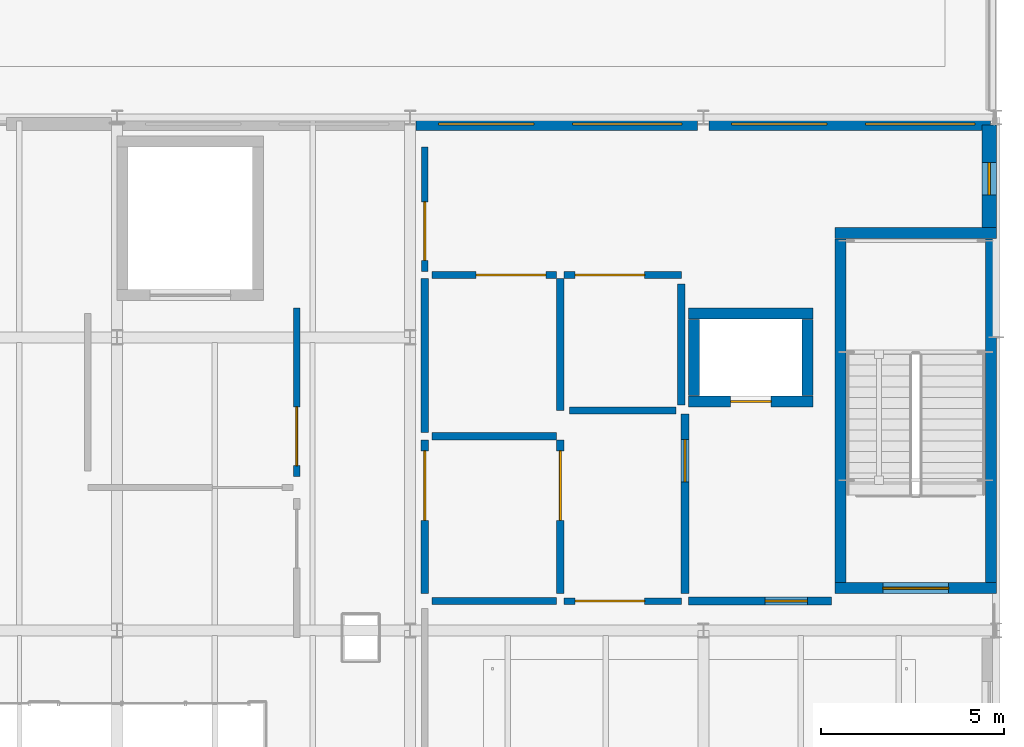
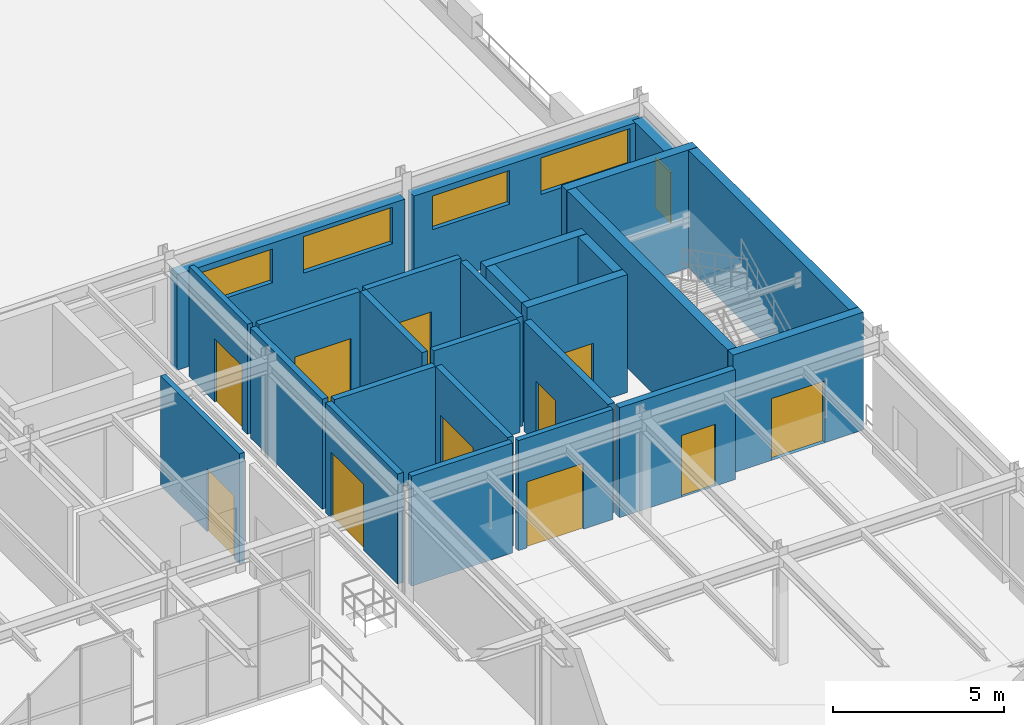
# One storey, part 43 of 67: 26 walls, 11 doors, 5 windows, 16 openings.
"""IFC4 building model written with IfcOpenShell, lengths in metres."""

from ifc_helpers import new_model, si_unit, direction, frame, frame_2d, origin, place, context, subcontext, project, spatial, rectangle, extrude, material, layer, layer_set, type_object, element, fill, save


model = new_model("IFC4")

# Units and contexts
model_context = context("Model", 3, precision=1e-05, world=origin(), true_north=direction((0.0, 1.0)))
body_context = subcontext(model_context, "Body", "Model", "MODEL_VIEW")
ifc_project = project(units=[si_unit("LENGTHUNIT", "METRE"), si_unit("AREAUNIT", "SQUARE_METRE"), si_unit("VOLUMEUNIT", "CUBIC_METRE"), si_unit("PLANEANGLEUNIT", "RADIAN"), si_unit("MASSUNIT", "GRAM", prefix="KILO")], contexts=[model_context])

# Site, building, storey
site_placement = place(None, origin())
site = spatial("IfcSite", under=ifc_project, at=site_placement, CompositionType="ELEMENT")
building_placement = place(site_placement, origin())
building = spatial("IfcBuilding", under=site, at=building_placement, Name="Sundkrona Museum", CompositionType="ELEMENT")
storey_placement = place(building_placement, frame((0.0, 0.0, 21.800048828125)))
storey = spatial("IfcBuildingStorey", under=building, at=storey_placement, Name="L04", CompositionType="ELEMENT", Elevation=21.800048828125)

# Wall, opening, door
ifc_material_1 = material(Name="Concrete C40/50", Category="concrete")
ifc_layer_1 = layer(ifc_material_1, 0.300048828125)
ifc_layer_set_1 = layer_set([ifc_layer_1], Name="Concrete C40/50")
wall_type_1 = type_object("IfcWallType", Name="W-CORE-300", PredefinedType="SHEAR", material=ifc_layer_set_1)
wall_1_placement = place(storey_placement, frame((163.60009765625, 33.14990234375, 0.0), z_axis=(0.0, 0.0, 1.0), x_axis=(1.0, 0.0, 0.0)))
wall_1 = element("IfcWall", 1, at=wall_1_placement, inside=storey, type_object=wall_type_1, Name="L04 ST-1 Core Shear Wall South", PredefinedType="SHEAR", context=body_context, shape_type="SweptSolid", body=[
    extrude(rectangle(XDim=4.39990234375, YDim=0.300048828125, at=frame_2d((2.199951171875, 0.0))), origin(), (0.0, 0.0, 1.0), 4.199951171875),
])
opening_1_placement = place(wall_1_placement, frame((1.300048828125, 0.0, 0.0)))
opening_1 = element("IfcOpeningElement", 2, at=opening_1_placement, cuts=wall_1, Name="Opening D-FD60", PredefinedType="OPENING", context=body_context, shape_type="SweptSolid", body=[
    extrude(rectangle(XDim=1.800048828125, YDim=2.199951171875, at=frame_2d((0.89990234375, 1.10009765625))), frame((0.0, 0.159912109375, 0.0), z_axis=(0.0, -1.0, 0.0), x_axis=(1.0, 0.0, 0.0)), (0.0, 0.0, 1.0), 0.320068359375),
])
ifc_material_2 = material(Name="Steel S355J2 Fire Door Leaf", Category="steel")
door_type_1 = type_object("IfcDoorType", Name="D-FD60", OperationType="DOUBLE_DOOR_SINGLE_SWING", PredefinedType="DOOR", material=ifc_material_2)
door_1_placement = place(opening_1_placement, origin())
door_1 = element("IfcDoor", 3, at=door_1_placement, inside=storey, type_object=door_type_1, Name="L04 ST-1 Protected Escape Stair Door DR-ST-1-L04", OperationType="DOUBLE_DOOR_SINGLE_SWING", OverallHeight=2.199951171875, OverallWidth=1.800048828125, PredefinedType="DOOR", context=body_context, shape_type="SweptSolid", body=[
    extrude(rectangle(XDim=1.800048828125, YDim=2.199951171875, at=frame_2d((0.89990234375, 1.10009765625))), frame((0.0, 0.02490234375, 0.0), z_axis=(0.0, -1.0, 0.0), x_axis=(1.0, 0.0, 0.0)), (0.0, 0.0, 1.0), 0.050048828125),
])
fill(opening_1, door_1)

# Walls
wall_2_placement = place(storey_placement, frame((163.60009765625, 42.85009765625, 0.0), z_axis=(0.0, 0.0, 1.0), x_axis=(1.0, 0.0, 0.0)))
element("IfcWall", 4, at=wall_2_placement, inside=storey, type_object=wall_type_1, Name="L04 ST-1 Core Shear Wall North", PredefinedType="SHEAR", context=body_context, shape_type="SweptSolid", body=[
    extrude(rectangle(XDim=4.39990234375, YDim=0.300048828125, at=frame_2d((2.199951171875, 0.0))), origin(), (0.0, 0.0, 1.0), 4.199951171875),
])
for number, where, z_axis, x_axis, name in (
    (5, (163.75, 33.31005859375, 0.0), (0.0, 0.0, 1.0), (0.0, 1.0, 0.0), "L04 ST-1 Core Shear Wall West"),
    (6, (167.85009765625, 33.31005859375, 0.0), (0.0, 0.0, 1.0), (0.0, 1.0, 0.0), "L04 ST-1 Core Shear Wall East"),
):
    element("IfcWall", number, at=place(storey_placement, frame(where, z_axis=z_axis, x_axis=x_axis)), inside=storey, type_object=wall_type_1, Name=name, PredefinedType="SHEAR", context=body_context, shape_type="SweptSolid", body=[
        extrude(rectangle(XDim=9.3798828125, YDim=0.300048828125, at=frame_2d((4.68994140625, 0.0))), origin(), (0.0, 0.0, 1.0), 4.199951171875),
    ])

# Wall, opening, door
wall_3_placement = place(storey_placement, frame((159.60009765625, 38.25, 0.0), z_axis=(0.0, 0.0, 1.0), x_axis=(1.0, 0.0, 0.0)))
wall_3 = element("IfcWall", 7, at=wall_3_placement, inside=storey, type_object=wall_type_1, Name="L04 PL-1 Lift Shaft Wall South", PredefinedType="SHEAR", context=body_context, shape_type="SweptSolid", body=[
    extrude(rectangle(XDim=3.39990234375, YDim=0.300048828125, at=frame_2d((1.699951171875, 0.0))), origin(), (0.0, 0.0, 1.0), 4.199951171875),
])
opening_2_placement = place(wall_3_placement, frame((1.14990234375, 0.0, 0.0)))
opening_2 = element("IfcOpeningElement", 8, at=opening_2_placement, cuts=wall_3, Name="Opening LD-01", PredefinedType="OPENING", context=body_context, shape_type="SweptSolid", body=[
    extrude(rectangle(XDim=1.10009765625, YDim=2.14990234375, at=frame_2d((0.550048828125, 1.074951171875))), frame((0.0, 0.159912109375, 0.0), z_axis=(0.0, -1.0, 0.0), x_axis=(1.0, 0.0, 0.0)), (0.0, 0.0, 1.0), 0.320068359375),
])
ifc_material_3 = material(Name="Brushed Stainless Steel Lift Door", Category="steel")
door_type_2 = type_object("IfcDoorType", Name="LD-01", OperationType="SLIDING_TO_LEFT", PredefinedType="DOOR", material=ifc_material_3)
door_2_placement = place(opening_2_placement, origin())
door_2 = element("IfcDoor", 9, at=door_2_placement, inside=storey, type_object=door_type_2, Name="L04 Firefighters Passenger Lift PL-1 Landing Door DR-LIFT-PL-1-L04", OperationType="SLIDING_TO_LEFT", OverallHeight=2.14990234375, OverallWidth=1.10009765625, PredefinedType="DOOR", context=body_context, shape_type="SweptSolid", body=[
    extrude(rectangle(XDim=1.10009765625, YDim=2.14990234375, at=frame_2d((0.550048828125, 1.074951171875))), frame((0.0, 0.02490234375, 0.0), z_axis=(0.0, -1.0, 0.0), x_axis=(1.0, 0.0, 0.0)), (0.0, 0.0, 1.0), 0.050048828125),
])
fill(opening_2, door_2)

# Walls
wall_4_placement = place(storey_placement, frame((159.60009765625, 40.64990234375, 0.0), z_axis=(0.0, 0.0, 1.0), x_axis=(1.0, 0.0, 0.0)))
element("IfcWall", 10, at=wall_4_placement, inside=storey, type_object=wall_type_1, Name="L04 PL-1 Lift Shaft Wall North", PredefinedType="SHEAR", context=body_context, shape_type="SweptSolid", body=[
    extrude(rectangle(XDim=3.39990234375, YDim=0.300048828125, at=frame_2d((1.699951171875, 0.0))), origin(), (0.0, 0.0, 1.0), 4.199951171875),
])
for number, where, z_axis, x_axis, name in (
    (11, (159.75, 38.409912109375, 0.0), (0.0, 0.0, 1.0), (0.0, 1.0, 0.0), "L04 PL-1 Lift Shaft Wall West"),
    (12, (162.85009765625, 38.409912109375, 0.0), (0.0, 0.0, 1.0), (0.0, 1.0, 0.0), "L04 PL-1 Lift Shaft Wall East"),
):
    element("IfcWall", number, at=place(storey_placement, frame(where, z_axis=z_axis, x_axis=x_axis)), inside=storey, type_object=wall_type_1, Name=name, PredefinedType="SHEAR", context=body_context, shape_type="SweptSolid", body=[
        extrude(rectangle(XDim=2.080078125, YDim=0.300048828125, at=frame_2d((1.0400390625, 0.0))), origin(), (0.0, 0.0, 1.0), 4.199951171875),
    ])

# Wall, opening, window
ifc_material_4 = material(Name="Scanian Polychrome Clay Brickwork 390 mm", Category="masonry")
ifc_layer_2 = layer(ifc_material_4, 0.389892578125)
ifc_layer_set_2 = layer_set([ifc_layer_2], Name="Scanian Polychrome Clay Brickwork 390 mm")
wall_type_2 = type_object("IfcWallType", Name="W-EX-390", PredefinedType="SOLIDWALL", material=ifc_layer_set_2)
wall_5_placement = place(storey_placement, frame((167.804931640625, 45.798095703125, 0.0), z_axis=(0.0, 0.0, 1.0), x_axis=(0.0, -1.0, 0.0)))
wall_5 = element("IfcWall", 13, at=wall_5_placement, inside=storey, type_object=wall_type_2, Name="L04 Facade Wall 0060", PredefinedType="SOLIDWALL", context=body_context, shape_type="SweptSolid", body=[
    extrude(rectangle(XDim=2.93798828125, YDim=0.389892578125, at=frame_2d((1.468994140625, 0.0))), origin(), (0.0, 0.0, 1.0), 3.4150390625),
])
opening_3_placement = place(wall_5_placement, frame((1.01904296875, 0.0, 0.85009765625)))
opening_3 = element("IfcOpeningElement", 14, at=opening_3_placement, cuts=wall_5, Name="Opening WN-ST-090x180", PredefinedType="OPENING", context=body_context, shape_type="SweptSolid", body=[
    extrude(rectangle(XDim=0.89990234375, YDim=1.800048828125, at=frame_2d((0.449951171875, 0.89990234375))), frame((0.0, 0.204833984375, 0.0), z_axis=(0.0, -1.0, 0.0), x_axis=(1.0, 0.0, 0.0)), (0.0, 0.0, 1.0), 0.409912109375),
])
ifc_material_5 = material(Name="Triple Low-E Argon Glazing in Bronze-Anodised Aluminium", Category="aluminium")
window_type_1 = type_object("IfcWindowType", Name="WN-ST-090x180", PartitioningType="SINGLE_PANEL", PredefinedType="WINDOW", material=ifc_material_5)
window_1_placement = place(opening_3_placement, origin())
window_1 = element("IfcWindow", 15, at=window_1_placement, inside=storey, type_object=window_type_1, Name="L04 Stair-core avenue daylight slot window 900x1800 WIN-L04-0079", OverallHeight=1.800048828125, OverallWidth=0.89990234375, PartitioningType="SINGLE_PANEL", PredefinedType="WINDOW", context=body_context, shape_type="SweptSolid", body=[
    extrude(rectangle(XDim=0.89990234375, YDim=1.800048828125, at=frame_2d((0.449951171875, 0.89990234375))), frame((0.0, 0.030029296875, 0.0), z_axis=(0.0, -1.0, 0.0), x_axis=(1.0, 0.0, 0.0)), (0.0, 0.0, 1.0), 0.06005859375),
])
fill(opening_3, window_1)

# Wall, opening, door
ifc_material_6 = material(Name="Autoclaved Aerated Masonry 225 mm", Category="masonry")
ifc_layer_3 = layer(ifc_material_6, 0.22509765625)
ifc_layer_set_3 = layer_set([ifc_layer_3], Name="Autoclaved Aerated Masonry 225 mm")
wall_type_3 = type_object("IfcWallType", Name="W-FF-225", PredefinedType="SOLIDWALL", material=ifc_layer_set_3)
wall_6_placement = place(storey_placement, frame((159.5, 33.0, 0.0), z_axis=(0.0, 0.0, 1.0), x_axis=(0.0, 1.0, 0.0)))
wall_6 = element("IfcWall", 16, at=wall_6_placement, inside=storey, type_object=wall_type_3, Name="L04 Partition Firefighting Lobby / Core 1 Level 04 Link", PredefinedType="SOLIDWALL", context=body_context, shape_type="SweptSolid", body=[
    extrude(rectangle(XDim=4.89990234375, YDim=0.22509765625, at=frame_2d((2.449951171875, 0.0))), origin(), (0.0, 0.0, 1.0), 3.919921875),
])
opening_4_placement = place(wall_6_placement, frame((3.05615234375, 0.0, 0.0)))
opening_4 = element("IfcOpeningElement", 17, at=opening_4_placement, cuts=wall_6, Name="Opening D-FF60", PredefinedType="OPENING", context=body_context, shape_type="SweptSolid", body=[
    extrude(rectangle(XDim=1.14990234375, YDim=2.199951171875, at=frame_2d((0.574951171875, 1.10009765625))), frame((0.0, 0.12255859375, 0.0), z_axis=(0.0, -1.0, 0.0), x_axis=(1.0, 0.0, 0.0)), (0.0, 0.0, 1.0), 0.2451171875),
])
door_type_3 = type_object("IfcDoorType", Name="D-FF60", OperationType="NOTDEFINED", PredefinedType="DOOR", material=ifc_material_2)
door_3_placement = place(opening_4_placement, origin())
door_3 = element("IfcDoor", 18, at=door_3_placement, inside=storey, type_object=door_type_3, Name="L04 Interior Door DR-ADJ-L04-0180", OperationType="SINGLE_SWING_RIGHT", OverallHeight=2.199951171875, OverallWidth=1.14990234375, PredefinedType="DOOR", context=body_context, shape_type="SweptSolid", body=[
    extrude(rectangle(XDim=1.14990234375, YDim=2.199951171875, at=frame_2d((0.574951171875, 1.10009765625))), frame((0.0, 0.02490234375, 0.0), z_axis=(0.0, -1.0, 0.0), x_axis=(1.0, 0.0, 0.0)), (0.0, 0.0, 1.0), 0.050048828125),
])
fill(opening_4, door_3)

wall_7_placement = place(storey_placement, frame((159.60009765625, 32.800048828125, 0.0), z_axis=(0.0, 0.0, 1.0), x_axis=(1.0, 0.0, 0.0)))
wall_7 = element("IfcWall", 19, at=wall_7_placement, inside=storey, type_object=wall_type_3, Name="L04 Partition Firefighting Lobby / Contemporary Visual Arts Gallery", PredefinedType="SOLIDWALL", context=body_context, shape_type="SweptSolid", body=[
    extrude(rectangle(XDim=3.89990234375, YDim=0.22509765625, at=frame_2d((1.949951171875, 0.0))), origin(), (0.0, 0.0, 1.0), 3.919921875),
])
opening_5_placement = place(wall_7_placement, frame((2.091796875, 0.0, 0.0)))
opening_5 = element("IfcOpeningElement", 20, at=opening_5_placement, cuts=wall_7, Name="Opening D-FF60", PredefinedType="OPENING", context=body_context, shape_type="SweptSolid", body=[
    extrude(rectangle(XDim=1.14990234375, YDim=2.199951171875, at=frame_2d((0.574951171875, 1.10009765625))), frame((0.0, 0.12255859375, 0.0), z_axis=(0.0, -1.0, 0.0), x_axis=(1.0, 0.0, 0.0)), (0.0, 0.0, 1.0), 0.2451171875),
])
door_4_placement = place(opening_5_placement, origin())
door_4 = element("IfcDoor", 21, at=door_4_placement, inside=storey, type_object=door_type_3, Name="L04 Interior Door DR-ADJ-L04-0181", OperationType="SINGLE_SWING_LEFT", OverallHeight=2.199951171875, OverallWidth=1.14990234375, PredefinedType="DOOR", context=body_context, shape_type="SweptSolid", body=[
    extrude(rectangle(XDim=1.14990234375, YDim=2.199951171875, at=frame_2d((0.574951171875, 1.10009765625))), frame((0.0, 0.02490234375, 0.0), z_axis=(0.0, -1.0, 0.0), x_axis=(1.0, 0.0, 0.0)), (0.0, 0.0, 1.0), 0.050048828125),
])
fill(opening_5, door_4)

ifc_material_7 = material(Name="Fire-rated Gypsum Partition Board 175 mm", Category="other")
ifc_layer_4 = layer(ifc_material_7, 0.175048828125)
ifc_layer_set_4 = layer_set([ifc_layer_4], Name="Fire-rated Gypsum Partition Board 175 mm")
wall_type_4 = type_object("IfcWallType", Name="W-PT-175", PredefinedType="PARTITIONING", material=ifc_layer_set_4)
wall_8_placement = place(storey_placement, frame((148.89990234375, 36.199951171875, 0.0), z_axis=(0.0, 0.0, 1.0), x_axis=(0.0, 1.0, 0.0)))
wall_8 = element("IfcWall", 22, at=wall_8_placement, inside=storey, type_object=wall_type_4, Name="L04 Partition Goods Lift Lobby / Main Hall Level 04 Corridor", PredefinedType="PARTITIONING", context=body_context, shape_type="SweptSolid", body=[
    extrude(rectangle(XDim=4.60009765625, YDim=0.175048828125, at=frame_2d((2.300048828125, 0.0))), origin(), (0.0, 0.0, 1.0), 3.919921875),
])
opening_6_placement = place(wall_8_placement, frame((0.300048828125, 0.0, 0.0)))
opening_6 = element("IfcOpeningElement", 23, at=opening_6_placement, cuts=wall_8, Name="Opening D-CMP-160", PredefinedType="OPENING", context=body_context, shape_type="SweptSolid", body=[
    extrude(rectangle(XDim=1.60009765625, YDim=2.25, at=frame_2d((0.800048828125, 1.125))), frame((0.0, 0.097412109375, 0.0), z_axis=(0.0, -1.0, 0.0), x_axis=(1.0, 0.0, 0.0)), (0.0, 0.0, 1.0), 0.195068359375),
])
ifc_material_8 = material(Name="Glazed Steel Fire Screen Door", Category="steel")
door_type_4 = type_object("IfcDoorType", Name="D-CMP-160", OperationType="DOUBLE_DOOR_SINGLE_SWING", PredefinedType="DOOR", material=ifc_material_8)
door_5_placement = place(opening_6_placement, origin())
door_5 = element("IfcDoor", 24, at=door_5_placement, inside=storey, type_object=door_type_4, Name="L04 Interior Door DR-ADJ-L04-0183", OperationType="DOUBLE_DOOR_SINGLE_SWING", OverallHeight=2.25, OverallWidth=1.60009765625, PredefinedType="DOOR", context=body_context, shape_type="SweptSolid", body=[
    extrude(rectangle(XDim=1.60009765625, YDim=2.25, at=frame_2d((0.800048828125, 1.125))), frame((0.0, 0.02490234375, 0.0), z_axis=(0.0, -1.0, 0.0), x_axis=(1.0, 0.0, 0.0)), (0.0, 0.0, 1.0), 0.050048828125),
])
fill(opening_6, door_5)

wall_9_placement = place(storey_placement, frame((152.39990234375, 41.800048828125, 0.0), z_axis=(0.0, 0.0, 1.0), x_axis=(0.0, 1.0, 0.0)))
wall_9 = element("IfcWall", 25, at=wall_9_placement, inside=storey, type_object=wall_type_4, Name="L04 Partition Sanitary WC Lobby / Main Hall Level 04 Corridor", PredefinedType="PARTITIONING", context=body_context, shape_type="SweptSolid", body=[
    extrude(rectangle(XDim=3.39990234375, YDim=0.175048828125, at=frame_2d((1.699951171875, 0.0))), origin(), (0.0, 0.0, 1.0), 3.919921875),
])
opening_7_placement = place(wall_9_placement, frame((0.300048828125, 0.0, 0.0)))
opening_7 = element("IfcOpeningElement", 26, at=opening_7_placement, cuts=wall_9, Name="Opening D-CMP-160", PredefinedType="OPENING", context=body_context, shape_type="SweptSolid", body=[
    extrude(rectangle(XDim=1.60009765625, YDim=2.25, at=frame_2d((0.800048828125, 1.125))), frame((0.0, 0.097412109375, 0.0), z_axis=(0.0, -1.0, 0.0), x_axis=(1.0, 0.0, 0.0)), (0.0, 0.0, 1.0), 0.195068359375),
])
door_6_placement = place(opening_7_placement, origin())
door_6 = element("IfcDoor", 27, at=door_6_placement, inside=storey, type_object=door_type_4, Name="L04 Interior Door DR-ADJ-L04-0186", OperationType="DOUBLE_DOOR_SINGLE_SWING", OverallHeight=2.25, OverallWidth=1.60009765625, PredefinedType="DOOR", context=body_context, shape_type="SweptSolid", body=[
    extrude(rectangle(XDim=1.60009765625, YDim=2.25, at=frame_2d((0.800048828125, 1.125))), frame((0.0, 0.02490234375, 0.0), z_axis=(0.0, -1.0, 0.0), x_axis=(1.0, 0.0, 0.0)), (0.0, 0.0, 1.0), 0.050048828125),
])
fill(opening_7, door_6)

wall_10_placement = place(storey_placement, frame((156.199951171875, 32.800048828125, 0.0), z_axis=(0.0, 0.0, 1.0), x_axis=(1.0, 0.0, 0.0)))
wall_10 = element("IfcWall", 28, at=wall_10_placement, inside=storey, type_object=wall_type_4, Name="L04 Partition Core 1 Level 04 Link / Contemporary Visual Arts Gallery", PredefinedType="PARTITIONING", context=body_context, shape_type="SweptSolid", body=[
    extrude(rectangle(XDim=3.199951171875, YDim=0.175048828125, at=frame_2d((1.60009765625, 0.0))), origin(), (0.0, 0.0, 1.0), 3.919921875),
])
opening_8_placement = place(wall_10_placement, frame((0.300048828125, 0.0, 0.0)))
opening_8 = element("IfcOpeningElement", 29, at=opening_8_placement, cuts=wall_10, Name="Opening D-AUD-190", PredefinedType="OPENING", context=body_context, shape_type="SweptSolid", body=[
    extrude(rectangle(XDim=1.89990234375, YDim=2.35009765625, at=frame_2d((0.949951171875, 1.175048828125))), frame((0.0, 0.097412109375, 0.0), z_axis=(0.0, -1.0, 0.0), x_axis=(1.0, 0.0, 0.0)), (0.0, 0.0, 1.0), 0.195068359375),
])
ifc_material_9 = material(Name="Acoustic Oak Fire Door", Category="other")
door_type_5 = type_object("IfcDoorType", Name="D-AUD-190", OperationType="DOUBLE_DOOR_SINGLE_SWING", PredefinedType="DOOR", material=ifc_material_9)
door_7_placement = place(opening_8_placement, origin())
door_7 = element("IfcDoor", 30, at=door_7_placement, inside=storey, type_object=door_type_5, Name="L04 Interior Door DR-ADJ-L04-0197", OperationType="DOUBLE_DOOR_SINGLE_SWING", OverallHeight=2.35009765625, OverallWidth=1.89990234375, PredefinedType="DOOR", context=body_context, shape_type="SweptSolid", body=[
    extrude(rectangle(XDim=1.89990234375, YDim=2.35009765625, at=frame_2d((0.949951171875, 1.175048828125))), frame((0.0, 0.02490234375, 0.0), z_axis=(0.0, -1.0, 0.0), x_axis=(1.0, 0.0, 0.0)), (0.0, 0.0, 1.0), 0.050048828125),
])
fill(opening_8, door_7)

ifc_material_10 = material(Name="Moisture-resistant Tile Partition 200 mm", Category="other")
ifc_layer_5 = layer(ifc_material_10, 0.199951171875)
ifc_layer_set_5 = layer_set([ifc_layer_5], Name="Moisture-resistant Tile Partition 200 mm")
wall_type_5 = type_object("IfcWallType", Name="W-PT-200", PredefinedType="PARTITIONING", material=ifc_layer_set_5)
wall_11_placement = place(storey_placement, frame((152.60009765625, 41.699951171875, 0.0), z_axis=(0.0, 0.0, 1.0), x_axis=(1.0, 0.0, 0.0)))
wall_11 = element("IfcWall", 31, at=wall_11_placement, inside=storey, type_object=wall_type_5, Name="L04 Partition Sanitary WC Lobby / Female Toilet", PredefinedType="PARTITIONING", context=body_context, shape_type="SweptSolid", body=[
    extrude(rectangle(XDim=3.39990234375, YDim=0.199951171875, at=frame_2d((1.699951171875, 0.0))), origin(), (0.0, 0.0, 1.0), 3.919921875),
])
opening_9_placement = place(wall_11_placement, frame((1.199951171875, 0.0, 0.0)))
opening_9 = element("IfcOpeningElement", 32, at=opening_9_placement, cuts=wall_11, Name="Opening D-AUD-190", PredefinedType="OPENING", context=body_context, shape_type="SweptSolid", body=[
    extrude(rectangle(XDim=1.89990234375, YDim=2.35009765625, at=frame_2d((0.949951171875, 1.175048828125))), frame((0.0, 0.10986328125, 0.0), z_axis=(0.0, -1.0, 0.0), x_axis=(1.0, 0.0, 0.0)), (0.0, 0.0, 1.0), 0.219970703125),
])
door_8_placement = place(opening_9_placement, origin())
door_8 = element("IfcDoor", 33, at=door_8_placement, inside=storey, type_object=door_type_5, Name="L04 Interior Door DR-ADJ-L04-0184", OperationType="DOUBLE_DOOR_SINGLE_SWING", OverallHeight=2.35009765625, OverallWidth=1.89990234375, PredefinedType="DOOR", context=body_context, shape_type="SweptSolid", body=[
    extrude(rectangle(XDim=1.89990234375, YDim=2.35009765625, at=frame_2d((0.949951171875, 1.175048828125))), frame((0.0, 0.02490234375, 0.0), z_axis=(0.0, -1.0, 0.0), x_axis=(1.0, 0.0, 0.0)), (0.0, 0.0, 1.0), 0.050048828125),
])
fill(opening_9, door_8)

wall_12_placement = place(storey_placement, frame((156.199951171875, 41.699951171875, 0.0), z_axis=(0.0, 0.0, 1.0), x_axis=(1.0, 0.0, 0.0)))
wall_12 = element("IfcWall", 34, at=wall_12_placement, inside=storey, type_object=wall_type_5, Name="L04 Partition Sanitary WC Lobby / Accessible WC", PredefinedType="PARTITIONING", context=body_context, shape_type="SweptSolid", body=[
    extrude(rectangle(XDim=3.199951171875, YDim=0.199951171875, at=frame_2d((1.60009765625, 0.0))), origin(), (0.0, 0.0, 1.0), 3.919921875),
])
opening_10_placement = place(wall_12_placement, frame((0.300048828125, 0.0, 0.0)))
opening_10 = element("IfcOpeningElement", 35, at=opening_10_placement, cuts=wall_12, Name="Opening D-AUD-190", PredefinedType="OPENING", context=body_context, shape_type="SweptSolid", body=[
    extrude(rectangle(XDim=1.89990234375, YDim=2.35009765625, at=frame_2d((0.949951171875, 1.175048828125))), frame((0.0, 0.10986328125, 0.0), z_axis=(0.0, -1.0, 0.0), x_axis=(1.0, 0.0, 0.0)), (0.0, 0.0, 1.0), 0.219970703125),
])
door_9_placement = place(opening_10_placement, origin())
door_9 = element("IfcDoor", 36, at=door_9_placement, inside=storey, type_object=door_type_5, Name="L04 Interior Door DR-ADJ-L04-0185", OperationType="DOUBLE_DOOR_SINGLE_SWING", OverallHeight=2.35009765625, OverallWidth=1.89990234375, PredefinedType="DOOR", context=body_context, shape_type="SweptSolid", body=[
    extrude(rectangle(XDim=1.89990234375, YDim=2.35009765625, at=frame_2d((0.949951171875, 1.175048828125))), frame((0.0, 0.02490234375, 0.0), z_axis=(0.0, -1.0, 0.0), x_axis=(1.0, 0.0, 0.0)), (0.0, 0.0, 1.0), 0.050048828125),
])
fill(opening_10, door_9)

# Wall
wall_13_placement = place(storey_placement, frame((152.60009765625, 37.300048828125, 0.0), z_axis=(0.0, 0.0, 1.0), x_axis=(1.0, 0.0, 0.0)))
element("IfcWall", 37, at=wall_13_placement, inside=storey, type_object=wall_type_5, Name="L04 Partition Male Toilet / Female Toilet", PredefinedType="PARTITIONING", context=body_context, shape_type="SweptSolid", body=[
    extrude(rectangle(XDim=3.39990234375, YDim=0.199951171875, at=frame_2d((1.699951171875, 0.0))), origin(), (0.0, 0.0, 1.0), 3.919921875),
])

# Wall, opening, door
wall_14_placement = place(storey_placement, frame((152.39990234375, 33.0, 0.0), z_axis=(0.0, 0.0, 1.0), x_axis=(0.0, 1.0, 0.0)))
wall_14 = element("IfcWall", 38, at=wall_14_placement, inside=storey, type_object=wall_type_5, Name="L04 Partition Male Toilet / Main Hall Level 04 Corridor", PredefinedType="PARTITIONING", context=body_context, shape_type="SweptSolid", body=[
    extrude(rectangle(XDim=4.199951171875, YDim=0.199951171875, at=frame_2d((2.10009765625, 0.0))), origin(), (0.0, 0.0, 1.0), 3.919921875),
])
opening_11_placement = place(wall_14_placement, frame((2.0, 0.0, 0.0)))
opening_11 = element("IfcOpeningElement", 39, at=opening_11_placement, cuts=wall_14, Name="Opening D-AUD-190", PredefinedType="OPENING", context=body_context, shape_type="SweptSolid", body=[
    extrude(rectangle(XDim=1.89990234375, YDim=2.35009765625, at=frame_2d((0.949951171875, 1.175048828125))), frame((0.0, 0.10986328125, 0.0), z_axis=(0.0, -1.0, 0.0), x_axis=(1.0, 0.0, 0.0)), (0.0, 0.0, 1.0), 0.219970703125),
])
door_10_placement = place(opening_11_placement, origin())
door_10 = element("IfcDoor", 40, at=door_10_placement, inside=storey, type_object=door_type_5, Name="L04 Interior Door DR-ADJ-L04-0187", OperationType="DOUBLE_DOOR_SINGLE_SWING", OverallHeight=2.35009765625, OverallWidth=1.89990234375, PredefinedType="DOOR", context=body_context, shape_type="SweptSolid", body=[
    extrude(rectangle(XDim=1.89990234375, YDim=2.35009765625, at=frame_2d((0.949951171875, 1.175048828125))), frame((0.0, 0.02490234375, 0.0), z_axis=(0.0, -1.0, 0.0), x_axis=(1.0, 0.0, 0.0)), (0.0, 0.0, 1.0), 0.050048828125),
])
fill(opening_11, door_10)

wall_15_placement = place(storey_placement, frame((156.10009765625, 33.0, 0.0), z_axis=(0.0, 0.0, 1.0), x_axis=(0.0, 1.0, 0.0)))
wall_15 = element("IfcWall", 41, at=wall_15_placement, inside=storey, type_object=wall_type_5, Name="L04 Partition Male Toilet / Core 1 Level 04 Link", PredefinedType="PARTITIONING", context=body_context, shape_type="SweptSolid", body=[
    extrude(rectangle(XDim=4.199951171875, YDim=0.199951171875, at=frame_2d((2.10009765625, 0.0))), origin(), (0.0, 0.0, 1.0), 3.919921875),
])
opening_12_placement = place(wall_15_placement, frame((2.0, 0.0, 0.0)))
opening_12 = element("IfcOpeningElement", 42, at=opening_12_placement, cuts=wall_15, Name="Opening D-AUD-190", PredefinedType="OPENING", context=body_context, shape_type="SweptSolid", body=[
    extrude(rectangle(XDim=1.89990234375, YDim=2.35009765625, at=frame_2d((0.949951171875, 1.175048828125))), frame((0.0, 0.10986328125, 0.0), z_axis=(0.0, -1.0, 0.0), x_axis=(1.0, 0.0, 0.0)), (0.0, 0.0, 1.0), 0.219970703125),
])
door_11_placement = place(opening_12_placement, origin())
door_11 = element("IfcDoor", 43, at=door_11_placement, inside=storey, type_object=door_type_5, Name="L04 Interior Door DR-ADJ-L04-0188", OperationType="DOUBLE_DOOR_SINGLE_SWING", OverallHeight=2.35009765625, OverallWidth=1.89990234375, PredefinedType="DOOR", context=body_context, shape_type="SweptSolid", body=[
    extrude(rectangle(XDim=1.89990234375, YDim=2.35009765625, at=frame_2d((0.949951171875, 1.175048828125))), frame((0.0, 0.02490234375, 0.0), z_axis=(0.0, -1.0, 0.0), x_axis=(1.0, 0.0, 0.0)), (0.0, 0.0, 1.0), 0.050048828125),
])
fill(opening_12, door_11)

# Walls
wall_16_placement = place(storey_placement, frame((152.60009765625, 32.800048828125, 0.0), z_axis=(0.0, 0.0, 1.0), x_axis=(1.0, 0.0, 0.0)))
element("IfcWall", 44, at=wall_16_placement, inside=storey, type_object=wall_type_5, Name="L04 Partition Male Toilet / Contemporary Visual Arts Gallery", PredefinedType="PARTITIONING", context=body_context, shape_type="SweptSolid", body=[
    extrude(rectangle(XDim=3.39990234375, YDim=0.199951171875, at=frame_2d((1.699951171875, 0.0))), origin(), (0.0, 0.0, 1.0), 3.919921875),
])
wall_17_placement = place(storey_placement, frame((156.10009765625, 38.0, 0.0), z_axis=(0.0, 0.0, 1.0), x_axis=(0.0, 1.0, 0.0)))
element("IfcWall", 45, at=wall_17_placement, inside=storey, type_object=wall_type_5, Name="L04 Partition Female Toilet / Accessible WC", PredefinedType="PARTITIONING", context=body_context, shape_type="SweptSolid", body=[
    extrude(rectangle(XDim=3.60009765625, YDim=0.199951171875, at=frame_2d((1.800048828125, 0.0))), origin(), (0.0, 0.0, 1.0), 3.919921875),
])
wall_18_placement = place(storey_placement, frame((152.39990234375, 37.39990234375, 0.0), z_axis=(0.0, 0.0, 1.0), x_axis=(0.0, 1.0, 0.0)))
element("IfcWall", 46, at=wall_18_placement, inside=storey, type_object=wall_type_5, Name="L04 Partition Female Toilet / Main Hall Level 04 Corridor", PredefinedType="PARTITIONING", context=body_context, shape_type="SweptSolid", body=[
    extrude(rectangle(XDim=4.2001953125, YDim=0.199951171875, at=frame_2d((2.10009765625, 0.0))), origin(), (0.0, 0.0, 1.0), 3.919921875),
])
wall_19_placement = place(storey_placement, frame((156.35009765625, 38.0, 0.0), z_axis=(0.0, 0.0, 1.0), x_axis=(1.0, 0.0, 0.0)))
element("IfcWall", 47, at=wall_19_placement, inside=storey, type_object=wall_type_5, Name="L04 Accessible WC Enclosure Wall S", PredefinedType="PARTITIONING", context=body_context, shape_type="SweptSolid", body=[
    extrude(rectangle(XDim=2.89990234375, YDim=0.199951171875, at=frame_2d((1.449951171875, 0.0))), origin(), (0.0, 0.0, 1.0), 3.919921875),
])
wall_20_placement = place(storey_placement, frame((159.39990234375, 38.14990234375, 0.0), z_axis=(0.0, 0.0, 1.0), x_axis=(0.0, 1.0, 0.0)))
element("IfcWall", 48, at=wall_20_placement, inside=storey, type_object=wall_type_5, Name="L04 Accessible WC Enclosure Wall E", PredefinedType="PARTITIONING", context=body_context, shape_type="SweptSolid", body=[
    extrude(rectangle(XDim=3.300048828125, YDim=0.199951171875, at=frame_2d((1.64990234375, 0.0))), origin(), (0.0, 0.0, 1.0), 3.919921875),
])

# Wall, openings, windows
ifc_material_11 = material(Name="Vitrified Stoneware Mosaic Cladding 360 mm", Category="masonry")
ifc_layer_6 = layer(ifc_material_11, 0.360107421875)
ifc_layer_set_6 = layer_set([ifc_layer_6], Name="Vitrified Stoneware Mosaic Cladding 360 mm")
wall_type_6 = type_object("IfcWallType", Name="W-SP-360", PredefinedType="ELEMENTEDWALL", material=ifc_layer_set_6)
wall_21_placement = place(storey_placement, frame((152.152099609375, 45.820068359375, 0.0), z_axis=(0.0, 0.0, 1.0), x_axis=(1.0, 0.0, 0.0)))
wall_21 = element("IfcWall", 49, at=wall_21_placement, inside=storey, type_object=wall_type_6, Name="L04 Facade Wall 0065", PredefinedType="ELEMENTEDWALL", context=body_context, shape_type="SweptSolid", body=[
    extrude(rectangle(XDim=7.69580078125, YDim=0.360107421875, at=frame_2d((3.847900390625, 0.0))), origin(), (0.0, 0.0, 1.0), 3.4150390625),
])
opening_13_placement = place(wall_21_placement, frame((0.6240234375, 0.0, 2.0)))
opening_13 = element("IfcOpeningElement", 50, at=opening_13_placement, cuts=wall_21, Name="Opening WN-CL-260x120", PredefinedType="OPENING", context=body_context, shape_type="SweptSolid", body=[
    extrude(rectangle(XDim=2.60009765625, YDim=1.199951171875, at=frame_2d((1.300048828125, 0.60009765625))), frame((0.0, 0.18994140625, 0.0), z_axis=(0.0, -1.0, 0.0), x_axis=(1.0, 0.0, 0.0)), (0.0, 0.0, 1.0), 0.380126953125),
])
opening_14_placement = place(wall_21_placement, frame((4.27197265625, 0.0, 1.97509765625)))
opening_14 = element("IfcOpeningElement", 51, at=opening_14_placement, cuts=wall_21, Name="Opening WN-CL-300x130", PredefinedType="OPENING", context=body_context, shape_type="SweptSolid", body=[
    extrude(rectangle(XDim=3.0, YDim=1.300048828125, at=frame_2d((1.5, 0.64990234375))), frame((0.0, 0.18994140625, 0.0), z_axis=(0.0, -1.0, 0.0), x_axis=(1.0, 0.0, 0.0)), (0.0, 0.0, 1.0), 0.380126953125),
])
window_type_2 = type_object("IfcWindowType", Name="WN-CL-260x120", PartitioningType="DOUBLE_PANEL_HORIZONTAL", PredefinedType="WINDOW", material=ifc_material_5)
window_2_placement = place(opening_13_placement, origin())
window_2 = element("IfcWindow", 52, at=window_2_placement, inside=storey, type_object=window_type_2, Name="L04 High-level gallery clerestory ribbon window 2600x1200 WIN-L04-0086", OverallHeight=1.199951171875, OverallWidth=2.60009765625, PartitioningType="DOUBLE_PANEL_HORIZONTAL", PredefinedType="WINDOW", context=body_context, shape_type="SweptSolid", body=[
    extrude(rectangle(XDim=2.60009765625, YDim=1.199951171875, at=frame_2d((1.300048828125, 0.60009765625))), frame((0.0, 0.030029296875, 0.0), z_axis=(0.0, -1.0, 0.0), x_axis=(1.0, 0.0, 0.0)), (0.0, 0.0, 1.0), 0.06005859375),
])
fill(opening_13, window_2)
window_type_3 = type_object("IfcWindowType", Name="WN-CL-300x130", PartitioningType="TRIPLE_PANEL_HORIZONTAL", PredefinedType="WINDOW", material=ifc_material_5)
window_3_placement = place(opening_14_placement, origin())
window_3 = element("IfcWindow", 53, at=window_3_placement, inside=storey, type_object=window_type_3, Name="L04 Exhibition clerestory window 3000x1300 WIN-L04-0087", OverallHeight=1.300048828125, OverallWidth=3.0, PartitioningType="TRIPLE_PANEL_HORIZONTAL", PredefinedType="WINDOW", context=body_context, shape_type="SweptSolid", body=[
    extrude(rectangle(XDim=3.0, YDim=1.300048828125, at=frame_2d((1.5, 0.64990234375))), frame((0.0, 0.030029296875, 0.0), z_axis=(0.0, -1.0, 0.0), x_axis=(1.0, 0.0, 0.0)), (0.0, 0.0, 1.0), 0.06005859375),
])
fill(opening_14, window_3)

wall_22_placement = place(storey_placement, frame((160.152099609375, 45.820068359375, 0.0), z_axis=(0.0, 0.0, 1.0), x_axis=(1.0, 0.0, 0.0)))
wall_22 = element("IfcWall", 54, at=wall_22_placement, inside=storey, type_object=wall_type_6, Name="L04 Facade Wall 0066", PredefinedType="ELEMENTEDWALL", context=body_context, shape_type="SweptSolid", body=[
    extrude(rectangle(XDim=7.69580078125, YDim=0.360107421875, at=frame_2d((3.847900390625, 0.0))), origin(), (0.0, 0.0, 1.0), 3.4150390625),
])
opening_15_placement = place(wall_22_placement, frame((0.6240234375, 0.0, 2.0)))
opening_15 = element("IfcOpeningElement", 55, at=opening_15_placement, cuts=wall_22, Name="Opening WN-CL-260x120", PredefinedType="OPENING", context=body_context, shape_type="SweptSolid", body=[
    extrude(rectangle(XDim=2.60009765625, YDim=1.199951171875, at=frame_2d((1.300048828125, 0.60009765625))), frame((0.0, 0.18994140625, 0.0), z_axis=(0.0, -1.0, 0.0), x_axis=(1.0, 0.0, 0.0)), (0.0, 0.0, 1.0), 0.380126953125),
])
opening_16_placement = place(wall_22_placement, frame((4.27197265625, 0.0, 1.97509765625)))
opening_16 = element("IfcOpeningElement", 56, at=opening_16_placement, cuts=wall_22, Name="Opening WN-CL-300x130", PredefinedType="OPENING", context=body_context, shape_type="SweptSolid", body=[
    extrude(rectangle(XDim=3.0, YDim=1.300048828125, at=frame_2d((1.5, 0.64990234375))), frame((0.0, 0.18994140625, 0.0), z_axis=(0.0, -1.0, 0.0), x_axis=(1.0, 0.0, 0.0)), (0.0, 0.0, 1.0), 0.380126953125),
])
window_4_placement = place(opening_15_placement, origin())
window_4 = element("IfcWindow", 57, at=window_4_placement, inside=storey, type_object=window_type_2, Name="L04 High-level gallery clerestory ribbon window 2600x1200 WIN-L04-0088", OverallHeight=1.199951171875, OverallWidth=2.60009765625, PartitioningType="DOUBLE_PANEL_HORIZONTAL", PredefinedType="WINDOW", context=body_context, shape_type="SweptSolid", body=[
    extrude(rectangle(XDim=2.60009765625, YDim=1.199951171875, at=frame_2d((1.300048828125, 0.60009765625))), frame((0.0, 0.030029296875, 0.0), z_axis=(0.0, -1.0, 0.0), x_axis=(1.0, 0.0, 0.0)), (0.0, 0.0, 1.0), 0.06005859375),
])
fill(opening_15, window_4)
window_5_placement = place(opening_16_placement, origin())
window_5 = element("IfcWindow", 58, at=window_5_placement, inside=storey, type_object=window_type_3, Name="L04 Exhibition clerestory window 3000x1300 WIN-L04-0089", OverallHeight=1.300048828125, OverallWidth=3.0, PartitioningType="TRIPLE_PANEL_HORIZONTAL", PredefinedType="WINDOW", context=body_context, shape_type="SweptSolid", body=[
    extrude(rectangle(XDim=3.0, YDim=1.300048828125, at=frame_2d((1.5, 0.64990234375))), frame((0.0, 0.030029296875, 0.0), z_axis=(0.0, -1.0, 0.0), x_axis=(1.0, 0.0, 0.0)), (0.0, 0.0, 1.0), 0.06005859375),
])
fill(opening_16, window_5)

save(model, "model.ifc")
